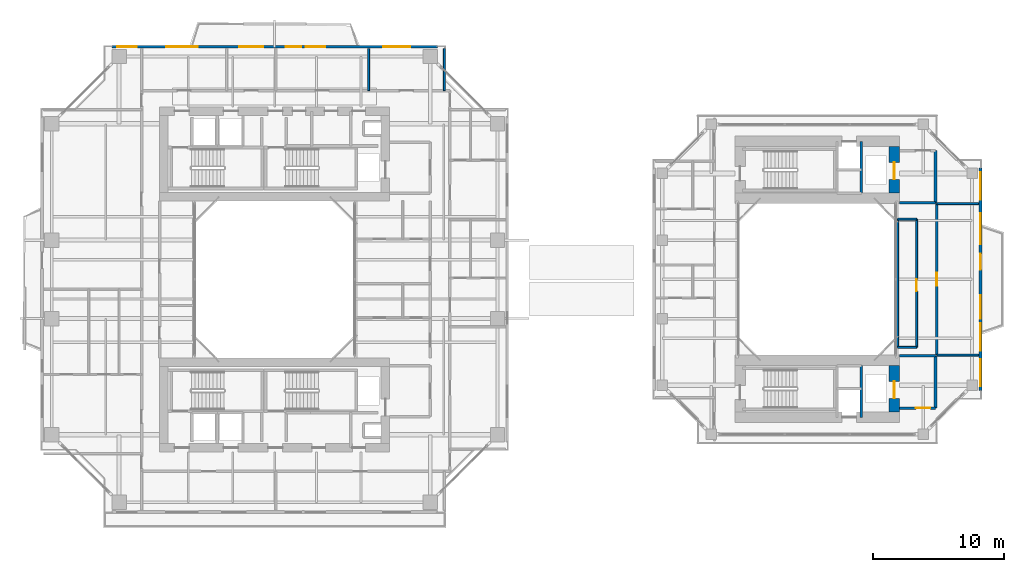
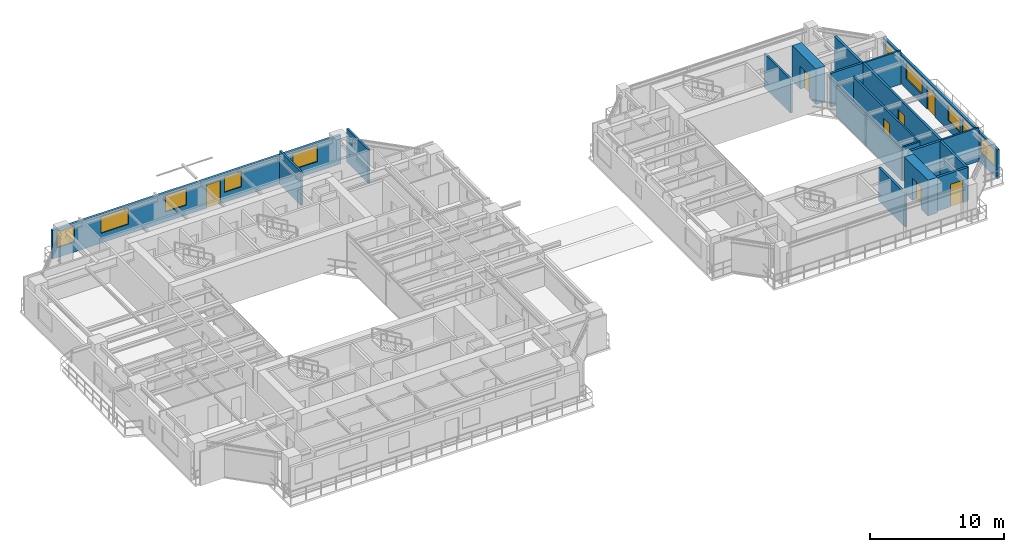
# One storey, part 18 of 23: 20 walls, 10 windows, 7 doors, 17 openings.
"""IFC4 building model written with IfcOpenShell, lengths in metres."""

import ifcopenshell
import ifcopenshell.guid

model = None  # the IFC model being written
_history = None  # IfcOwnerHistory: only IFC2X3 demands one
_inside = {}  # id of a spatial element -> (the spatial element, [elements in it])
_under = {}  # id of a project, library or spatial element -> (it, [spatial elements below it])
_declared = {}  # id of a project -> (the project, [libraries it declares])
_typed = {}  # id of a type object -> (the type object, [elements of that type])
_made_of = {}  # id of a material, layer set ... -> (it, [elements and type objects made of it])


def new_model(schema):
    """Start an empty IFC model of exactly this schema.

    Asked for "IFC4X3", IfcOpenShell would pick the latest addendum, in which some entities
    have other attributes; the version numbers below select the first issue.
    IFC2X3 requires an IfcOwnerHistory on every rooted entity: one is made here for all.
    """
    global model, _history
    if schema == "IFC4X3":
        model = ifcopenshell.file(schema_version=(4, 3, 0, 0))
    else:
        model = ifcopenshell.file(schema=schema)
    _inside.clear()
    _under.clear()
    _declared.clear()
    _typed.clear()
    _made_of.clear()
    _history = None
    if model.schema == "IFC2X3":
        org = make("IfcOrganization", Name="unknown")
        user = make(
            "IfcPersonAndOrganization",
            ThePerson=make("IfcPerson", FamilyName="unknown"),
            TheOrganization=org,
        )
        app = make(
            "IfcApplication",
            ApplicationDeveloper=org,
            Version="unknown",
            ApplicationFullName="unknown",
            ApplicationIdentifier="unknown",
        )
        _history = make(
            "IfcOwnerHistory",
            OwningUser=user,
            OwningApplication=app,
            ChangeAction="ADDED",
            CreationDate=0,
        )
    return model


def make(cls, **values):
    """One entity of the class cls with the attributes given. An attribute that is None is left unset."""
    return model.create_entity(
        cls, **{name: value for name, value in values.items() if value is not None}
    )


def rooted(cls, **values):
    """An entity with a GlobalId (a new one), such as an element, a storey or a relation."""
    return make(cls, GlobalId=ifcopenshell.guid.new(), OwnerHistory=_history, **values)


def si_unit(unit_type, name, prefix=None):
    """IfcSIUnit, for example si_unit("LENGTHUNIT", "METRE", prefix="MILLI")."""
    return make("IfcSIUnit", UnitType=unit_type, Prefix=prefix, Name=name)


def assignment(units):
    """IfcUnitAssignment: the units of a project."""
    return None if units is None else make("IfcUnitAssignment", Units=units)


def point(xyz):
    """IfcCartesianPoint."""
    return None if xyz is None else make("IfcCartesianPoint", Coordinates=xyz)


def direction(xyz):
    """IfcDirection."""
    return None if xyz is None else make("IfcDirection", DirectionRatios=xyz)


def frame(location, z_axis=None, x_axis=None):
    """IfcAxis2Placement3D, a coordinate frame: its origin and axes. An axis left out is left unset."""
    return make(
        "IfcAxis2Placement3D",
        Location=point(location),
        Axis=direction(z_axis),
        RefDirection=direction(x_axis),
    )


def frame_2d(location, x_axis=None):
    """IfcAxis2Placement2D, a coordinate frame in the plane: its origin and x axis."""
    return make(
        "IfcAxis2Placement2D", Location=point(location), RefDirection=direction(x_axis)
    )


def origin():
    """The frame at (0, 0, 0) with its axes left unset."""
    return frame((0.0, 0.0, 0.0))


def place(relative_to, where):
    """IfcLocalPlacement: puts the frame where relative to a parent placement (None: the world)."""
    return make(
        "IfcLocalPlacement", PlacementRelTo=relative_to, RelativePlacement=where
    )


def context(
    kind, dimensions, precision=None, world=None, true_north=None, identifier=None
):
    """IfcGeometricRepresentationContext, for example the 3D "Model" context."""
    return make(
        "IfcGeometricRepresentationContext",
        ContextIdentifier=identifier,
        ContextType=kind,
        CoordinateSpaceDimension=dimensions,
        Precision=precision,
        WorldCoordinateSystem=world,
        TrueNorth=true_north,
    )


def subcontext(parent, identifier, kind, view, scale=None):
    """IfcGeometricRepresentationSubContext, for example "Body" below "Model"."""
    return make(
        "IfcGeometricRepresentationSubContext",
        ContextIdentifier=identifier,
        ContextType=kind,
        ParentContext=parent,
        TargetScale=scale,
        TargetView=view,
    )


def project(units=None, contexts=None):
    """IfcProject with its units and contexts."""
    return rooted(
        "IfcProject",
        Name="project",
        RepresentationContexts=contexts,
        UnitsInContext=assignment(units),
    )


def spatial(cls, under=None, at=None, **own):
    """A site, building, storey or space (cls), placed at a placement, below another one or the project."""
    s = rooted(cls, ObjectPlacement=at, **own)
    if under is not None:
        _under.setdefault(under.id(), (under, []))[1].append(s)
    return s


def profile(cls, at=None, kind="AREA", **sizes):
    """A parametric profile (cls). Its sizes go by their IFC names, for example OverallWidth=200.0."""
    return make(cls, ProfileType=kind, Position=at, **sizes)


def rectangle(**sizes):
    """IfcRectangleProfileDef."""
    return profile("IfcRectangleProfileDef", **sizes)


def extrude(swept, where, along, depth):
    """IfcExtrudedAreaSolid: the profile swept, set in the frame where, extruded along a direction by depth."""
    return make(
        "IfcExtrudedAreaSolid",
        SweptArea=swept,
        Position=where,
        ExtrudedDirection=direction(along),
        Depth=depth,
    )


def shape(context_of_items, identifier, shape_type, items):
    """IfcShapeRepresentation: the items that make up one representation, for example the "Body"."""
    return make(
        "IfcShapeRepresentation",
        ContextOfItems=context_of_items,
        RepresentationIdentifier=identifier,
        RepresentationType=shape_type,
        Items=items,
    )


def source(mapping_origin, context_of_items, identifier, shape_type, items):
    """IfcRepresentationMap: a shape defined once, which mapped items show again and again."""
    return make(
        "IfcRepresentationMap",
        MappingOrigin=mapping_origin,
        MappedRepresentation=shape(context_of_items, identifier, shape_type, items),
    )


def transform(
    local_origin,
    x_axis=None,
    y_axis=None,
    z_axis=None,
    scale=None,
    scale2=None,
    scale3=None,
    uniform=True,
):
    """IfcCartesianTransformationOperator3D, or its non-uniform kind. x_axis, y_axis, z_axis: its Axis1, 2, 3."""
    if uniform:
        return make(
            "IfcCartesianTransformationOperator3D",
            Axis1=direction(x_axis),
            Axis2=direction(y_axis),
            LocalOrigin=point(local_origin),
            Scale=scale,
            Axis3=direction(z_axis),
        )
    return make(
        "IfcCartesianTransformationOperator3DnonUniform",
        Axis1=direction(x_axis),
        Axis2=direction(y_axis),
        LocalOrigin=point(local_origin),
        Scale=scale,
        Axis3=direction(z_axis),
        Scale2=scale2,
        Scale3=scale3,
    )


def mapped(mapping_source, mapping_target):
    """IfcMappedItem: shows the shape of a source again, moved by a transform."""
    return make(
        "IfcMappedItem", MappingSource=mapping_source, MappingTarget=mapping_target
    )


def material(Name=None, Category=None):
    """IfcMaterial."""
    return make("IfcMaterial", Name=Name, Category=Category)


def layer(
    of_material, thickness, ventilated=None, Name=None, Category=None, Priority=None
):
    """IfcMaterialLayer: one layer of a wall or slab, of a material (None: an air gap)."""
    return make(
        "IfcMaterialLayer",
        Material=of_material,
        LayerThickness=thickness,
        IsVentilated=ventilated,
        Name=Name,
        Category=Category,
        Priority=Priority,
    )


def layer_set(layers, Name=None):
    """IfcMaterialLayerSet."""
    return make("IfcMaterialLayerSet", MaterialLayers=layers, LayerSetName=Name)


def made_of(thing, what):
    """Note that an element or type object is made of a material, layer set ...; save() writes the relation."""
    if what is not None:
        _made_of.setdefault(what.id(), (what, []))[1].append(thing)
    return thing


def type_object(cls, material=None, **own):
    """A type object (cls), such as IfcWallType, which elements share."""
    return made_of(rooted(cls, **own), material)


def element(
    cls,
    number,
    at=None,
    inside=None,
    cuts=None,
    type_object=None,
    material=None,
    context=None,
    identifier="Body",
    shape_type=None,
    held_by="IfcProductDefinitionShape",
    body=None,
    shapes=None,
    **own,
):
    """One element of the class cls, such as IfcWall. Its Tag is "e" and its number.

    at: its placement. inside: the storey or other place that contains it. cuts: it is an
    opening in that element (IfcRelVoidsElement). A single representation is given by context,
    identifier, shape_type and body (its items); several are given by shapes. held_by: the class
    of the entity that holds the representations. save() writes the other relations.
    """
    e = rooted(cls, Tag="e%d" % number, ObjectPlacement=at, **own)
    if body is not None:
        shapes = [shape(context, identifier, shape_type, body)]
    if shapes is not None:
        e.Representation = make(held_by, Representations=shapes)
    if inside is not None:
        _inside.setdefault(inside.id(), (inside, []))[1].append(e)
    if cuts is not None:
        rooted(
            "IfcRelVoidsElement", RelatingBuildingElement=cuts, RelatedOpeningElement=e
        )
    if type_object is not None:
        _typed.setdefault(type_object.id(), (type_object, []))[1].append(e)
    return made_of(e, material)


def fill(opening, filler):
    """IfcRelFillsElement: the door or window that sits in an opening."""
    return rooted(
        "IfcRelFillsElement",
        RelatingOpeningElement=opening,
        RelatedBuildingElement=filler,
    )


def aggregate(whole, parts):
    """IfcRelAggregates: a whole, such as a stair, and the parts it consists of."""
    return rooted("IfcRelAggregates", RelatingObject=whole, RelatedObjects=parts)


def save(model, path):
    """Write the relations noted so far, then the file.

    IfcRelAggregates (storeys below a building ...), IfcRelContainedInSpatialStructure (elements
    in a storey), IfcRelDefinesByType, IfcRelAssociatesMaterial and IfcRelDeclares: one each for
    every whole, place, type object, material and project.
    """
    for whole, parts in _under.values():
        aggregate(whole, parts)
    for where, things in _inside.values():
        rooted(
            "IfcRelContainedInSpatialStructure",
            RelatedElements=things,
            RelatingStructure=where,
        )
    for kind, things in _typed.values():
        rooted("IfcRelDefinesByType", RelatedObjects=things, RelatingType=kind)
    for what, things in _made_of.values():
        rooted("IfcRelAssociatesMaterial", RelatedObjects=things, RelatingMaterial=what)
    for by, libraries in _declared.values():
        rooted("IfcRelDeclares", RelatingContext=by, RelatedDefinitions=libraries)
    model.write(path)


model = new_model("IFC4")

# Units and contexts
model_context = context("Model", 3, precision=1e-05, world=origin(), true_north=direction((0.0, 1.0)))
body_context = subcontext(model_context, "Body", "Model", "MODEL_VIEW")
ifc_project = project(units=[si_unit("LENGTHUNIT", "METRE"), si_unit("AREAUNIT", "SQUARE_METRE"), si_unit("VOLUMEUNIT", "CUBIC_METRE"), si_unit("PLANEANGLEUNIT", "RADIAN"), si_unit("MASSUNIT", "GRAM", prefix="KILO"), si_unit("THERMODYNAMICTEMPERATUREUNIT", "KELVIN"), si_unit("POWERUNIT", "WATT")], contexts=[model_context])

# Site, building, storey
site_placement = place(None, origin())
site = spatial("IfcSite", under=ifc_project, at=site_placement, CompositionType="ELEMENT")
building_placement = place(site_placement, origin())
building = spatial("IfcBuilding", under=site, at=building_placement, Name="Qiaomeng Ring Towers", CompositionType="ELEMENT")
storey_placement = place(building_placement, frame((0.0, 0.0, 97.0)))
storey = spatial("IfcBuildingStorey", under=building, at=storey_placement, Name="L27", CompositionType="ELEMENT", Elevation=97.0)

# Wall, openings, windows, door
ifc_material_1 = material(Name="Precast concrete C40", Category="concrete")
ifc_layer_1 = layer(ifc_material_1, 0.219970703125, Name="Precast concrete C40")
ifc_layer_set_1 = layer_set([ifc_layer_1], Name="Precast concrete C40")
wall_type_1 = type_object("IfcWallType", Name="ARC-WL-EW2", PredefinedType="STANDARD", material=ifc_layer_set_1)
wall_1_placement = place(storey_placement, frame((6.550048828125, 40.7900390625, 0.0), z_axis=(0.0, 0.0, 1.0), x_axis=(1.0, 0.0, 0.0)))
wall_1 = element("IfcWall", 1, at=wall_1_placement, inside=storey, type_object=wall_type_1, Name="L27 Tower 1 N Exterior Wall", PredefinedType="STANDARD", context=body_context, shape_type="SweptSolid", body=[
    extrude(rectangle(XDim=24.89990234375, YDim=0.219970703125, at=frame_2d((12.449951171875, 0.0))), origin(), (0.0, 0.0, 1.0), 2.610107421875),
])
opening_1_placement = place(wall_1_placement, frame((13.300048828125, 0.0, 0.0)))
opening_1 = element("IfcOpeningElement", 2, at=opening_1_placement, cuts=wall_1, Name="Opening BD1", PredefinedType="OPENING", context=body_context, shape_type="SweptSolid", body=[
    extrude(rectangle(XDim=1.199951171875, YDim=2.10009765625, at=frame_2d((0.60009765625, 1.050048828125))), frame((0.0, 0.119873046875, 0.0), z_axis=(0.0, -1.0, 0.0), x_axis=(1.0, 0.0, 0.0)), (0.0, 0.0, 1.0), 0.239990234375),
])
opening_2_placement = place(wall_1_placement, frame((0.392578125, 0.0, 0.89990234375)))
opening_2 = element("IfcOpeningElement", 3, at=opening_2_placement, cuts=wall_1, Name="Opening WN2", PredefinedType="OPENING", context=body_context, shape_type="SweptSolid", body=[
    extrude(rectangle(XDim=1.5, YDim=1.5, at=frame_2d((0.75, 0.75))), frame((0.0, 0.119873046875, 0.0), z_axis=(0.0, -1.0, 0.0), x_axis=(1.0, 0.0, 0.0)), (0.0, 0.0, 1.0), 0.239990234375),
])
opening_3_placement = place(wall_1_placement, frame((9.760009765625, 0.0, 0.89990234375)))
opening_3 = element("IfcOpeningElement", 4, at=opening_3_placement, cuts=wall_1, Name="Opening WN1", PredefinedType="OPENING", context=body_context, shape_type="SweptSolid", body=[
    extrude(rectangle(XDim=1.800048828125, YDim=1.5, at=frame_2d((0.89990234375, 0.75))), frame((0.0, 0.119873046875, 0.0), z_axis=(0.0, -1.0, 0.0), x_axis=(1.0, 0.0, 0.0)), (0.0, 0.0, 1.0), 0.239990234375),
])
opening_4_placement = place(wall_1_placement, frame((14.81298828125, 0.0, 0.89990234375)))
opening_4 = element("IfcOpeningElement", 5, at=opening_4_placement, cuts=wall_1, Name="Opening WN2", PredefinedType="OPENING", context=body_context, shape_type="SweptSolid", body=[
    extrude(rectangle(XDim=1.5, YDim=1.449951171875, at=frame_2d((0.75, 0.72509765625))), frame((0.0, 0.119873046875, 0.0), z_axis=(0.0, -1.0, 0.0), x_axis=(1.0, 0.0, 0.0)), (0.0, 0.0, 1.0), 0.239990234375),
])
opening_5_placement = place(wall_1_placement, frame((20.738037109375, 0.0, 0.89990234375)))
opening_5 = element("IfcOpeningElement", 6, at=opening_5_placement, cuts=wall_1, Name="Opening WN4", PredefinedType="OPENING", context=body_context, shape_type="SweptSolid", body=[
    extrude(rectangle(XDim=2.10009765625, YDim=1.47998046875, at=frame_2d((1.050048828125, 0.739990234375))), frame((0.0, 0.119873046875, 0.0), z_axis=(0.0, -1.0, 0.0), x_axis=(1.0, 0.0, 0.0)), (0.0, 0.0, 1.0), 0.239990234375),
])
opening_6_placement = place(wall_1_placement, frame((4.17138671875, 0.0, 0.89990234375)))
opening_6 = element("IfcOpeningElement", 7, at=opening_6_placement, cuts=wall_1, Name="Opening WN6", PredefinedType="OPENING", context=body_context, shape_type="SweptSolid", body=[
    extrude(rectangle(XDim=2.39990234375, YDim=1.5, at=frame_2d((1.199951171875, 0.75))), frame((0.0, 0.119873046875, 0.0), z_axis=(0.0, -1.0, 0.0), x_axis=(1.0, 0.0, 0.0)), (0.0, 0.0, 1.0), 0.239990234375),
])
ifc_material_2 = material(Name="Low-E dark-grey laminated double glazing", Category="glass")
window_type_1 = type_object("IfcWindowType", Name="ARC-WN-2", PartitioningType="DOUBLE_PANEL_VERTICAL", PredefinedType="WINDOW", material=ifc_material_2)
shared_shape_1 = source(origin(), body_context, "Body", "SweptSolid", [
    extrude(rectangle(XDim=1.5, YDim=1.449951171875, at=frame_2d((0.75, 0.72509765625))), frame((0.0, 0.030029296875, 0.0), z_axis=(0.0, -1.0, 0.0), x_axis=(1.0, 0.0, 0.0)), (0.0, 0.0, 1.0), 0.06005859375),
])
window_1_placement = place(opening_4_placement, origin())
window_1 = element("IfcWindow", 8, at=window_1_placement, inside=storey, type_object=window_type_1, Name="L27 Exterior Window WN2", OverallHeight=1.449951171875, OverallWidth=1.5, PartitioningType="DOUBLE_PANEL_VERTICAL", PredefinedType="WINDOW", context=body_context, shape_type="MappedRepresentation", body=[
    mapped(shared_shape_1, transform((0.0, 0.0, 0.0), x_axis=(1.0, 0.0, 0.0), y_axis=(0.0, 1.0, 0.0), z_axis=(0.0, 0.0, 1.0), scale=1.0)),
])
fill(opening_4, window_1)
window_type_2 = type_object("IfcWindowType", Name="ARC-WN-4", PartitioningType="TRIPLE_PANEL_VERTICAL", PredefinedType="WINDOW", material=ifc_material_2)
shared_shape_2 = source(origin(), body_context, "Body", "SweptSolid", [
    extrude(rectangle(XDim=2.10009765625, YDim=1.47998046875, at=frame_2d((1.050048828125, 0.739990234375))), frame((0.0, 0.030029296875, 0.0), z_axis=(0.0, -1.0, 0.0), x_axis=(1.0, 0.0, 0.0)), (0.0, 0.0, 1.0), 0.06005859375),
])
window_2_placement = place(opening_5_placement, origin())
window_2 = element("IfcWindow", 9, at=window_2_placement, inside=storey, type_object=window_type_2, Name="L27 Exterior Window WN4", OverallHeight=1.47998046875, OverallWidth=2.10009765625, PartitioningType="TRIPLE_PANEL_VERTICAL", PredefinedType="WINDOW", context=body_context, shape_type="MappedRepresentation", body=[
    mapped(shared_shape_2, transform((0.0, 0.0, 0.0), x_axis=(1.0, 0.0, 0.0), y_axis=(0.0, 1.0, 0.0), z_axis=(0.0, 0.0, 1.0), scale=1.0)),
])
fill(opening_5, window_2)
door_type_1 = type_object("IfcDoorType", Name="ARC-DR-BD1", OperationType="NOTDEFINED", PredefinedType="DOOR", material=ifc_material_2)
shared_shape_3 = source(origin(), body_context, "Body", "SweptSolid", [
    extrude(rectangle(XDim=1.199951171875, YDim=2.10009765625, at=frame_2d((0.60009765625, 1.050048828125))), frame((0.0, 0.02490234375, 0.0), z_axis=(0.0, -1.0, 0.0), x_axis=(1.0, 0.0, 0.0)), (0.0, 0.0, 1.0), 0.050048828125),
])
door_1_placement = place(opening_1_placement, origin())
door_1 = element("IfcDoor", 10, at=door_1_placement, inside=storey, type_object=door_type_1, Name="L27 N Balcony Glazed Door", OperationType="SINGLE_SWING_LEFT", OverallHeight=2.10009765625, OverallWidth=1.199951171875, PredefinedType="DOOR", context=body_context, shape_type="MappedRepresentation", body=[
    mapped(shared_shape_3, transform((0.0, 0.0, 0.0), x_axis=(1.0, 0.0, 0.0), y_axis=(0.0, 1.0, 0.0), z_axis=(0.0, 0.0, 1.0), scale=1.0)),
])
fill(opening_1, door_1)
shared_shape_4 = source(origin(), body_context, "Body", "SweptSolid", [
    extrude(rectangle(XDim=1.5, YDim=1.5, at=frame_2d((0.75, 0.75))), frame((0.0, 0.030029296875, 0.0), z_axis=(0.0, -1.0, 0.0), x_axis=(1.0, 0.0, 0.0)), (0.0, 0.0, 1.0), 0.06005859375),
])
window_3_placement = place(opening_2_placement, origin())
window_3 = element("IfcWindow", 11, at=window_3_placement, inside=storey, type_object=window_type_1, Name="L27 Exterior Window WN6", OverallHeight=1.5, OverallWidth=1.5, PartitioningType="TRIPLE_PANEL_VERTICAL", PredefinedType="WINDOW", context=body_context, shape_type="MappedRepresentation", body=[
    mapped(shared_shape_4, transform((0.0, 0.0, 0.0), x_axis=(1.0, 0.0, 0.0), y_axis=(0.0, 1.0, 0.0), z_axis=(0.0, 0.0, 1.0), scale=1.0)),
])
fill(opening_2, window_3)
window_type_3 = type_object("IfcWindowType", Name="ARC-WN-6", PartitioningType="TRIPLE_PANEL_VERTICAL", PredefinedType="WINDOW", material=ifc_material_2)
shared_shape_5 = source(origin(), body_context, "Body", "SweptSolid", [
    extrude(rectangle(XDim=2.39990234375, YDim=1.5, at=frame_2d((1.199951171875, 0.75))), frame((0.0, 0.030029296875, 0.0), z_axis=(0.0, -1.0, 0.0), x_axis=(1.0, 0.0, 0.0)), (0.0, 0.0, 1.0), 0.06005859375),
])
window_4_placement = place(opening_6_placement, origin())
window_4 = element("IfcWindow", 12, at=window_4_placement, inside=storey, type_object=window_type_3, Name="L27 Exterior Window WN6", OverallHeight=1.5, OverallWidth=2.39990234375, PartitioningType="TRIPLE_PANEL_VERTICAL", PredefinedType="WINDOW", context=body_context, shape_type="MappedRepresentation", body=[
    mapped(shared_shape_5, transform((0.0, 0.0, 0.0), x_axis=(1.0, 0.0, 0.0), y_axis=(0.0, 1.0, 0.0), z_axis=(0.0, 0.0, 1.0), scale=1.0)),
])
fill(opening_6, window_4)
window_type_4 = type_object("IfcWindowType", Name="ARC-WN-1", PartitioningType="DOUBLE_PANEL_VERTICAL", PredefinedType="WINDOW", material=ifc_material_2)
shared_shape_6 = source(origin(), body_context, "Body", "SweptSolid", [
    extrude(rectangle(XDim=1.800048828125, YDim=1.5, at=frame_2d((0.89990234375, 0.75))), frame((0.0, 0.030029296875, 0.0), z_axis=(0.0, -1.0, 0.0), x_axis=(1.0, 0.0, 0.0)), (0.0, 0.0, 1.0), 0.06005859375),
])
window_5_placement = place(opening_3_placement, origin())
window_5 = element("IfcWindow", 13, at=window_5_placement, inside=storey, type_object=window_type_4, Name="L27 Exterior Window WN1", OverallHeight=1.5, OverallWidth=1.800048828125, PartitioningType="DOUBLE_PANEL_VERTICAL", PredefinedType="WINDOW", context=body_context, shape_type="MappedRepresentation", body=[
    mapped(shared_shape_6, transform((0.0, 0.0, 0.0), x_axis=(1.0, 0.0, 0.0), y_axis=(0.0, 1.0, 0.0), z_axis=(0.0, 0.0, 1.0), scale=1.0)),
])
fill(opening_3, window_5)

wall_2_placement = place(storey_placement, frame((72.989990234375, 14.5, 0.0), z_axis=(0.0, 0.0, 1.0), x_axis=(0.0, 1.0, 0.0)))
wall_2 = element("IfcWall", 14, at=wall_2_placement, inside=storey, type_object=wall_type_1, Name="L27 Companion East Wall", PredefinedType="STANDARD", context=body_context, shape_type="SweptSolid", body=[
    extrude(rectangle(XDim=17.0, YDim=0.219970703125, at=frame_2d((8.5, 0.0))), origin(), (0.0, 0.0, 1.0), 2.610107421875),
])
opening_7_placement = place(wall_2_placement, frame((9.25, 0.0, 0.0)))
opening_7 = element("IfcOpeningElement", 15, at=opening_7_placement, cuts=wall_2, Name="Opening BD1", PredefinedType="OPENING", context=body_context, shape_type="SweptSolid", body=[
    extrude(rectangle(XDim=1.199951171875, YDim=2.10009765625, at=frame_2d((0.60009765625, 1.050048828125))), frame((0.0, 0.119873046875, 0.0), z_axis=(0.0, -1.0, 0.0), x_axis=(1.0, 0.0, 0.0)), (0.0, 0.0, 1.0), 0.239990234375),
])
opening_8_placement = place(wall_2_placement, frame((0.3076171875, 0.0, 0.89990234375)))
opening_8 = element("IfcOpeningElement", 16, at=opening_8_placement, cuts=wall_2, Name="Opening WN4", PredefinedType="OPENING", context=body_context, shape_type="SweptSolid", body=[
    extrude(rectangle(XDim=2.10009765625, YDim=1.5, at=frame_2d((1.050048828125, 0.75))), frame((0.0, 0.119873046875, 0.0), z_axis=(0.0, -1.0, 0.0), x_axis=(1.0, 0.0, 0.0)), (0.0, 0.0, 1.0), 0.239990234375),
])
opening_9_placement = place(wall_2_placement, frame((5.47509765625, 0.0, 0.89990234375)))
opening_9 = element("IfcOpeningElement", 17, at=opening_9_placement, cuts=wall_2, Name="Opening WN1", PredefinedType="OPENING", context=body_context, shape_type="SweptSolid", body=[
    extrude(rectangle(XDim=1.800048828125, YDim=1.449951171875, at=frame_2d((0.89990234375, 0.72509765625))), frame((0.0, 0.119873046875, 0.0), z_axis=(0.0, -1.0, 0.0), x_axis=(1.0, 0.0, 0.0)), (0.0, 0.0, 1.0), 0.239990234375),
])
opening_10_placement = place(wall_2_placement, frame((14.592529296875, 0.0, 0.89990234375)))
opening_10 = element("IfcOpeningElement", 18, at=opening_10_placement, cuts=wall_2, Name="Opening WN4", PredefinedType="OPENING", context=body_context, shape_type="SweptSolid", body=[
    extrude(rectangle(XDim=2.10009765625, YDim=1.5, at=frame_2d((1.050048828125, 0.75))), frame((0.0, 0.119873046875, 0.0), z_axis=(0.0, -1.0, 0.0), x_axis=(1.0, 0.0, 0.0)), (0.0, 0.0, 1.0), 0.239990234375),
])
opening_11_placement = place(wall_2_placement, frame((3.054931640625, 0.0, 0.89990234375)))
opening_11 = element("IfcOpeningElement", 19, at=opening_11_placement, cuts=wall_2, Name="Opening WN4", PredefinedType="OPENING", context=body_context, shape_type="SweptSolid", body=[
    extrude(rectangle(XDim=2.10009765625, YDim=1.5, at=frame_2d((1.050048828125, 0.75))), frame((0.0, 0.119873046875, 0.0), z_axis=(0.0, -1.0, 0.0), x_axis=(1.0, 0.0, 0.0)), (0.0, 0.0, 1.0), 0.239990234375),
])
opening_12_placement = place(wall_2_placement, frame((11.16748046875, 0.0, 0.89990234375)))
opening_12 = element("IfcOpeningElement", 20, at=opening_12_placement, cuts=wall_2, Name="Opening WN6", PredefinedType="OPENING", context=body_context, shape_type="SweptSolid", body=[
    extrude(rectangle(XDim=2.39990234375, YDim=1.5, at=frame_2d((1.199951171875, 0.75))), frame((0.0, 0.119873046875, 0.0), z_axis=(0.0, -1.0, 0.0), x_axis=(1.0, 0.0, 0.0)), (0.0, 0.0, 1.0), 0.239990234375),
])
shared_shape_7 = source(origin(), body_context, "Body", "SweptSolid", [
    extrude(rectangle(XDim=2.10009765625, YDim=1.5, at=frame_2d((1.050048828125, 0.75))), frame((0.0, 0.030029296875, 0.0), z_axis=(0.0, -1.0, 0.0), x_axis=(1.0, 0.0, 0.0)), (0.0, 0.0, 1.0), 0.06005859375),
])
window_6_placement = place(opening_8_placement, origin())
window_6 = element("IfcWindow", 21, at=window_6_placement, inside=storey, type_object=window_type_2, Name="L27 Exterior Window WN6", OverallHeight=1.5, OverallWidth=2.10009765625, PartitioningType="TRIPLE_PANEL_VERTICAL", PredefinedType="WINDOW", context=body_context, shape_type="MappedRepresentation", body=[
    mapped(shared_shape_7, transform((0.0, 0.0, 0.0), x_axis=(1.0, 0.0, 0.0), y_axis=(0.0, 1.0, 0.0), z_axis=(0.0, 0.0, 1.0), scale=1.0)),
])
fill(opening_8, window_6)
window_7_placement = place(opening_10_placement, origin())
window_7 = element("IfcWindow", 22, at=window_7_placement, inside=storey, type_object=window_type_2, Name="L27 Exterior Window WN4", OverallHeight=1.5, OverallWidth=2.10009765625, PartitioningType="TRIPLE_PANEL_VERTICAL", PredefinedType="WINDOW", context=body_context, shape_type="MappedRepresentation", body=[
    mapped(shared_shape_7, transform((0.0, 0.0, 0.0), x_axis=(1.0, 0.0, 0.0), y_axis=(0.0, 1.0, 0.0), z_axis=(0.0, 0.0, 1.0), scale=1.0)),
])
fill(opening_10, window_7)
window_8_placement = place(opening_11_placement, origin())
window_8 = element("IfcWindow", 23, at=window_8_placement, inside=storey, type_object=window_type_2, Name="L27 Exterior Window WN4", OverallHeight=1.5, OverallWidth=2.10009765625, PartitioningType="TRIPLE_PANEL_VERTICAL", PredefinedType="WINDOW", context=body_context, shape_type="MappedRepresentation", body=[
    mapped(shared_shape_7, transform((0.0, 0.0, 0.0), x_axis=(1.0, 0.0, 0.0), y_axis=(0.0, 1.0, 0.0), z_axis=(0.0, 0.0, 1.0), scale=1.0)),
])
fill(opening_11, window_8)
shared_shape_8 = source(origin(), body_context, "Body", "SweptSolid", [
    extrude(rectangle(XDim=1.800048828125, YDim=1.449951171875, at=frame_2d((0.89990234375, 0.72509765625))), frame((0.0, 0.030029296875, 0.0), z_axis=(0.0, -1.0, 0.0), x_axis=(1.0, 0.0, 0.0)), (0.0, 0.0, 1.0), 0.06005859375),
])
window_9_placement = place(opening_9_placement, origin())
window_9 = element("IfcWindow", 24, at=window_9_placement, inside=storey, type_object=window_type_4, Name="L27 Exterior Window WN1", OverallHeight=1.449951171875, OverallWidth=1.800048828125, PartitioningType="DOUBLE_PANEL_VERTICAL", PredefinedType="WINDOW", context=body_context, shape_type="MappedRepresentation", body=[
    mapped(shared_shape_8, transform((0.0, 0.0, 0.0), x_axis=(1.0, 0.0, 0.0), y_axis=(0.0, 1.0, 0.0), z_axis=(0.0, 0.0, 1.0), scale=1.0)),
])
fill(opening_9, window_9)
door_2_placement = place(opening_7_placement, origin())
door_2 = element("IfcDoor", 25, at=door_2_placement, inside=storey, type_object=door_type_1, Name="L27 Companion East Balcony Door", OperationType="SINGLE_SWING_LEFT", OverallHeight=2.10009765625, OverallWidth=1.199951171875, PredefinedType="DOOR", context=body_context, shape_type="MappedRepresentation", body=[
    mapped(shared_shape_3, transform((0.0, 0.0, 0.0), x_axis=(1.0, 0.0, 0.0), y_axis=(0.0, 1.0, 0.0), z_axis=(0.0, 0.0, 1.0), scale=1.0)),
])
fill(opening_7, door_2)
window_10_placement = place(opening_12_placement, origin())
window_10 = element("IfcWindow", 26, at=window_10_placement, inside=storey, type_object=window_type_3, Name="L27 Exterior Window WN6", OverallHeight=1.5, OverallWidth=2.39990234375, PartitioningType="TRIPLE_PANEL_VERTICAL", PredefinedType="WINDOW", context=body_context, shape_type="MappedRepresentation", body=[
    mapped(shared_shape_5, transform((0.0, 0.0, 0.0), x_axis=(1.0, 0.0, 0.0), y_axis=(0.0, 1.0, 0.0), z_axis=(0.0, 0.0, 1.0), scale=1.0)),
])
fill(opening_12, window_10)

# Walls
ifc_material_3 = material(Name="Autoclaved aerated concrete block", Category="concrete")
ifc_layer_2 = layer(ifc_material_3, 0.199951171875, Name="Autoclaved aerated concrete block")
ifc_layer_set_2 = layer_set([ifc_layer_2], Name="Autoclaved aerated concrete block")
wall_type_2 = type_object("IfcWallType", Name="ARC-WL-PW1", PredefinedType="PARTITIONING", material=ifc_layer_set_2)
wall_3_placement = place(storey_placement, frame((66.800048828125, 28.85009765625, 0.0), z_axis=(0.0, 0.0, 1.0), x_axis=(1.0, 0.0, 0.0)))
element("IfcWall", 27, at=wall_3_placement, inside=storey, type_object=wall_type_2, Name="L27 Interior Wall PW1", PredefinedType="PARTITIONING", context=body_context, shape_type="SweptSolid", body=[
    extrude(rectangle(XDim=2.75, YDim=0.199951171875, at=frame_2d((1.375, 0.0))), origin(), (0.0, 0.0, 1.0), 3.070068359375),
])
wall_4_placement = place(storey_placement, frame((69.550048828125, 28.85009765625, 0.0), z_axis=(0.0, 0.0, 1.0), x_axis=(0.0, 1.0, 0.0)))
element("IfcWall", 28, at=wall_4_placement, inside=storey, type_object=wall_type_2, Name="L27 Interior Wall PW1", PredefinedType="PARTITIONING", context=body_context, shape_type="SweptSolid", body=[
    extrude(rectangle(XDim=4.0, YDim=0.199951171875, at=frame_2d((2.0, 0.0))), origin(), (0.0, 0.0, 1.0), 3.070068359375),
])
wall_5_placement = place(storey_placement, frame((66.800048828125, 17.14990234375, 0.0), z_axis=(0.0, 0.0, 1.0), x_axis=(1.0, 0.0, 0.0)))
element("IfcWall", 29, at=wall_5_placement, inside=storey, type_object=wall_type_2, Name="L27 Interior Wall PW1", PredefinedType="PARTITIONING", context=body_context, shape_type="SweptSolid", body=[
    extrude(rectangle(XDim=2.75, YDim=0.199951171875, at=frame_2d((1.375, 0.0))), origin(), (0.0, 0.0, 1.0), 3.070068359375),
])
wall_6_placement = place(storey_placement, frame((69.550048828125, 13.14990234375, 0.0), z_axis=(0.0, 0.0, 1.0), x_axis=(0.0, 1.0, 0.0)))
element("IfcWall", 30, at=wall_6_placement, inside=storey, type_object=wall_type_2, Name="L27 Interior Wall PW1", PredefinedType="PARTITIONING", context=body_context, shape_type="SweptSolid", body=[
    extrude(rectangle(XDim=4.0, YDim=0.199951171875, at=frame_2d((2.0, 0.0))), origin(), (0.0, 0.0, 1.0), 3.070068359375),
])

# Wall, opening, door
wall_7_placement = place(storey_placement, frame((66.800048828125, 13.14990234375, 0.0), z_axis=(0.0, 0.0, 1.0), x_axis=(1.0, 0.0, 0.0)))
wall_7 = element("IfcWall", 31, at=wall_7_placement, inside=storey, type_object=wall_type_2, Name="L27 Interior Wall PW1", PredefinedType="PARTITIONING", context=body_context, shape_type="SweptSolid", body=[
    extrude(rectangle(XDim=2.75, YDim=0.199951171875, at=frame_2d((1.375, 0.0))), origin(), (0.0, 0.0, 1.0), 3.070068359375),
])
opening_13_placement = place(wall_7_placement, frame((1.25, 0.0, 0.0)))
opening_13 = element("IfcOpeningElement", 32, at=opening_13_placement, cuts=wall_7, Name="Opening FD3", PredefinedType="OPENING", context=body_context, shape_type="SweptSolid", body=[
    extrude(rectangle(XDim=1.10009765625, YDim=2.050048828125, at=frame_2d((0.550048828125, 1.02490234375))), frame((0.0, 0.10986328125, 0.0), z_axis=(0.0, -1.0, 0.0), x_axis=(1.0, 0.0, 0.0)), (0.0, 0.0, 1.0), 0.219970703125),
])
ifc_material_4 = material(Name="Galvanised steel", Category="steel")
door_type_2 = type_object("IfcDoorType", Name="ARC-DR-FD3", OperationType="NOTDEFINED", PredefinedType="DOOR", material=ifc_material_4)
shared_shape_9 = source(origin(), body_context, "Body", "SweptSolid", [
    extrude(rectangle(XDim=1.10009765625, YDim=2.050048828125, at=frame_2d((0.550048828125, 1.02490234375))), frame((0.0, 0.02490234375, 0.0), z_axis=(0.0, -1.0, 0.0), x_axis=(1.0, 0.0, 0.0)), (0.0, 0.0, 1.0), 0.050048828125),
])
door_3_placement = place(opening_13_placement, origin())
door_3 = element("IfcDoor", 33, at=door_3_placement, inside=storey, type_object=door_type_2, Name="L27 Door FD3", OperationType="SINGLE_SWING_LEFT", OverallHeight=2.050048828125, OverallWidth=1.10009765625, PredefinedType="DOOR", context=body_context, shape_type="MappedRepresentation", body=[
    mapped(shared_shape_9, transform((0.0, 0.0, 0.0), x_axis=(1.0, 0.0, 0.0), y_axis=(0.0, 1.0, 0.0), z_axis=(0.0, 0.0, 1.0), scale=1.0)),
])
fill(opening_13, door_3)

ifc_layer_3 = layer(ifc_material_3, 0.179931640625, Name="Autoclaved aerated concrete block")
ifc_layer_set_3 = layer_set([ifc_layer_3], Name="Autoclaved aerated concrete block")
wall_type_3 = type_object("IfcWallType", Name="ARC-WL-PW2", PredefinedType="PARTITIONING", material=ifc_layer_set_3)
wall_8_placement = place(storey_placement, frame((69.64990234375, 17.199951171875, 0.0), z_axis=(0.0, 0.0, 1.0), x_axis=(0.0, 1.0, 0.0)))
wall_8 = element("IfcWall", 34, at=wall_8_placement, inside=storey, type_object=wall_type_3, Name="L27 Interior Wall PW2", PredefinedType="PARTITIONING", context=body_context, shape_type="SweptSolid", body=[
    extrude(rectangle(XDim=11.60009765625, YDim=0.179931640625, at=frame_2d((5.800048828125, 0.0))), origin(), (0.0, 0.0, 1.0), 3.070068359375),
])
opening_14_placement = place(wall_8_placement, frame((5.300048828125, 0.0, 0.0)))
opening_14 = element("IfcOpeningElement", 35, at=opening_14_placement, cuts=wall_8, Name="Opening FD4", PredefinedType="OPENING", context=body_context, shape_type="SweptSolid", body=[
    extrude(rectangle(XDim=1.0, YDim=2.050048828125, at=frame_2d((0.5, 1.02490234375))), frame((0.0, 0.099853515625, 0.0), z_axis=(0.0, -1.0, 0.0), x_axis=(1.0, 0.0, 0.0)), (0.0, 0.0, 1.0), 0.199951171875),
])
ifc_material_5 = material(Name="Engineered fire-rated oak timber", Category="wood")
door_type_3 = type_object("IfcDoorType", Name="ARC-DR-FD4", OperationType="NOTDEFINED", PredefinedType="DOOR", material=ifc_material_5)
shared_shape_10 = source(origin(), body_context, "Body", "SweptSolid", [
    extrude(rectangle(XDim=1.0, YDim=2.050048828125, at=frame_2d((0.5, 1.02490234375))), frame((0.0, 0.02490234375, 0.0), z_axis=(0.0, -1.0, 0.0), x_axis=(1.0, 0.0, 0.0)), (0.0, 0.0, 1.0), 0.050048828125),
])
door_4_placement = place(opening_14_placement, origin())
door_4 = element("IfcDoor", 36, at=door_4_placement, inside=storey, type_object=door_type_3, Name="L27 Door FD4", OperationType="SINGLE_SWING_LEFT", OverallHeight=2.050048828125, OverallWidth=1.0, PredefinedType="DOOR", context=body_context, shape_type="MappedRepresentation", body=[
    mapped(shared_shape_10, transform((0.0, 0.0, 0.0), x_axis=(1.0, 0.0, 0.0), y_axis=(0.0, 1.0, 0.0), z_axis=(0.0, 0.0, 1.0), scale=1.0)),
])
fill(opening_14, door_4)

# Walls
ifc_material_6 = material(Name="Gypsum fireboard steel-stud partition", Category="steel")
ifc_layer_4 = layer(ifc_material_6, 0.14990234375, Name="Gypsum fireboard steel-stud partition")
ifc_layer_set_4 = layer_set([ifc_layer_4], Name="Gypsum fireboard steel-stud partition")
wall_type_4 = type_object("IfcWallType", Name="ARC-WL-PW3", PredefinedType="PARTITIONING", material=ifc_layer_set_4)
for number, where, z_axis, x_axis, name in (
    (37, (26.18994140625, 37.43994140625, 0.0), (0.0, 0.0, 1.0), (0.0, 1.0, 0.0), "L27 Interior Wall PW3"),
    (38, (31.97998046875, 37.43994140625, 0.0), (0.0, 0.0, 1.0), (0.0, 1.0, 0.0), "L27 Interior Wall PW3"),
):
    element("IfcWall", number, at=place(storey_placement, frame(where, z_axis=z_axis, x_axis=x_axis)), inside=storey, type_object=wall_type_4, Name=name, PredefinedType="PARTITIONING", context=body_context, shape_type="SweptSolid", body=[
        extrude(rectangle(XDim=3.2099609375, YDim=0.14990234375, at=frame_2d((1.60498046875, 0.0))), origin(), (0.0, 0.0, 1.0), 3.070068359375),
    ])
for number, where, z_axis, x_axis, name in (
    (39, (69.64990234375, 17.199951171875, 0.0), (0.0, 0.0, 1.0), (1.0, 0.0, 0.0), "L27 Interior Wall PW3"),
    (40, (69.64990234375, 28.800048828125, 0.0), (0.0, 0.0, 1.0), (1.0, 0.0, 0.0), "L27 Interior Wall PW3"),
):
    element("IfcWall", number, at=place(storey_placement, frame(where, z_axis=z_axis, x_axis=x_axis)), inside=storey, type_object=wall_type_4, Name=name, PredefinedType="PARTITIONING", context=body_context, shape_type="SweptSolid", body=[
        extrude(rectangle(XDim=3.2001953125, YDim=0.14990234375, at=frame_2d((1.60009765625, 0.0))), origin(), (0.0, 0.0, 1.0), 3.070068359375),
    ])

# Wall, opening, door
wall_9_placement = place(storey_placement, frame((68.10009765625, 17.800048828125, 0.0), z_axis=(0.0, 0.0, 1.0), x_axis=(0.0, 1.0, 0.0)))
wall_9 = element("IfcWall", 41, at=wall_9_placement, inside=storey, type_object=wall_type_4, Name="L27 Interior Wall PW3", PredefinedType="PARTITIONING", context=body_context, shape_type="SweptSolid", body=[
    extrude(rectangle(XDim=9.800048828125, YDim=0.14990234375, at=frame_2d((4.89990234375, 0.0))), origin(), (0.0, 0.0, 1.0), 3.070068359375),
])
opening_15_placement = place(wall_9_placement, frame((4.300048828125, 0.0, 0.0)))
opening_15 = element("IfcOpeningElement", 42, at=opening_15_placement, cuts=wall_9, Name="Opening ID1", PredefinedType="OPENING", context=body_context, shape_type="SweptSolid", body=[
    extrude(rectangle(XDim=0.89990234375, YDim=2.050048828125, at=frame_2d((0.449951171875, 1.02490234375))), frame((0.0, 0.0849609375, 0.0), z_axis=(0.0, -1.0, 0.0), x_axis=(1.0, 0.0, 0.0)), (0.0, 0.0, 1.0), 0.169921875),
])
ifc_material_7 = material(Name="Engineered oak timber", Category="wood")
door_type_4 = type_object("IfcDoorType", Name="ARC-DR-ID1", OperationType="NOTDEFINED", PredefinedType="DOOR", material=ifc_material_7)
shared_shape_11 = source(origin(), body_context, "Body", "SweptSolid", [
    extrude(rectangle(XDim=0.89990234375, YDim=2.050048828125, at=frame_2d((0.449951171875, 1.02490234375))), frame((0.0, 0.02490234375, 0.0), z_axis=(0.0, -1.0, 0.0), x_axis=(1.0, 0.0, 0.0)), (0.0, 0.0, 1.0), 0.050048828125),
])
door_5_placement = place(opening_15_placement, origin())
door_5 = element("IfcDoor", 43, at=door_5_placement, inside=storey, type_object=door_type_4, Name="L27 Door ID1", OperationType="SINGLE_SWING_RIGHT", OverallHeight=2.050048828125, OverallWidth=0.89990234375, PredefinedType="DOOR", context=body_context, shape_type="MappedRepresentation", body=[
    mapped(shared_shape_11, transform((0.0, 0.0, 0.0), x_axis=(1.0, 0.0, 0.0), y_axis=(0.0, 1.0, 0.0), z_axis=(0.0, 0.0, 1.0), scale=1.0)),
])
fill(opening_15, door_5)

# Walls
wall_10_placement = place(storey_placement, frame((66.64990234375, 27.60009765625, 0.0), z_axis=(0.0, 0.0, 1.0), x_axis=(1.0, 0.0, 0.0)))
element("IfcWall", 44, at=wall_10_placement, inside=storey, type_object=wall_type_4, Name="L27 Interior Wall PW3", PredefinedType="PARTITIONING", context=body_context, shape_type="SweptSolid", body=[
    extrude(rectangle(XDim=1.4501953125, YDim=0.14990234375, at=frame_2d((0.72509765625, 0.0))), origin(), (0.0, 0.0, 1.0), 2.715087890625),
])
wall_11_placement = place(storey_placement, frame((66.64990234375, 17.800048828125, 0.0), z_axis=(0.0, 0.0, 1.0), x_axis=(1.0, 0.0, 0.0)))
element("IfcWall", 45, at=wall_11_placement, inside=storey, type_object=wall_type_4, Name="L27 Interior Wall PW3", PredefinedType="PARTITIONING", context=body_context, shape_type="SweptSolid", body=[
    extrude(rectangle(XDim=1.4501953125, YDim=0.14990234375, at=frame_2d((0.72509765625, 0.0))), origin(), (0.0, 0.0, 1.0), 3.070068359375),
])
wall_12_placement = place(storey_placement, frame((66.64990234375, 17.800048828125, 0.0), z_axis=(0.0, 0.0, 1.0), x_axis=(0.0, 1.0, 0.0)))
element("IfcWall", 46, at=wall_12_placement, inside=storey, type_object=wall_type_4, Name="L27 Interior Wall PW3", PredefinedType="PARTITIONING", context=body_context, shape_type="SweptSolid", body=[
    extrude(rectangle(XDim=9.800048828125, YDim=0.14990234375, at=frame_2d((4.89990234375, 0.0))), origin(), (0.0, 0.0, 1.0), 2.6650390625),
])
ifc_material_8 = material(Name="Concrete C40", Category="concrete")
ifc_layer_5 = layer(ifc_material_8, 0.199951171875, Name="Concrete C40")
ifc_layer_set_5 = layer_set([ifc_layer_5], Name="Concrete C40")
wall_type_5 = type_object("IfcWallType", Name="STR-WL-STSHAFT", PredefinedType="SHEAR", material=ifc_layer_set_5)
for number, where, z_axis, x_axis, name in (
    (47, (63.8798828125, 29.60009765625, 0.0), (0.0, 0.0, 1.0), (0.0, 1.0, 0.0), "L27 Companion Lift Shaft East Wall N"),
    (48, (63.8798828125, 12.449951171875, 0.0), (0.0, 0.0, 1.0), (0.0, 1.0, 0.0), "L27 Companion Lift Shaft East Wall S"),
):
    element("IfcWall", number, at=place(storey_placement, frame(where, z_axis=z_axis, x_axis=x_axis)), inside=storey, type_object=wall_type_5, Name=name, PredefinedType="SHEAR", context=body_context, shape_type="SweptSolid", body=[
        extrude(rectangle(XDim=3.949951171875, YDim=0.179931640625, at=frame_2d((1.97509765625, 0.0))), origin(), (0.0, 0.0, 1.0), 3.070068359375),
    ])

# Wall, opening, door
ifc_material_9 = material(Name="Concrete C60", Category="concrete")
ifc_layer_6 = layer(ifc_material_9, 0.800048828125, Name="Concrete C60")
ifc_layer_set_6 = layer_set([ifc_layer_6], Name="Concrete C60")
wall_type_6 = type_object("IfcWallType", Name="STR-WL-SW1", PredefinedType="SHEAR", material=ifc_layer_set_6)
wall_13_placement = place(storey_placement, frame((66.39990234375, 29.60009765625, 0.0), z_axis=(0.0, 0.0, 1.0), x_axis=(0.0, 1.0, 0.0)))
wall_13 = element("IfcWall", 49, at=wall_13_placement, inside=storey, type_object=wall_type_6, Name="L27 T2NC east core shear wall", PredefinedType="SHEAR", context=body_context, shape_type="SweptSolid", body=[
    extrude(rectangle(XDim=3.5498046875, YDim=0.800048828125, at=frame_2d((1.77490234375, 0.0))), origin(), (0.0, 0.0, 1.0), 3.25),
])
opening_16_placement = place(wall_13_placement, frame((1.050048828125, 0.0, 0.0)))
opening_16 = element("IfcOpeningElement", 50, at=opening_16_placement, cuts=wall_13, Name="Opening LD2", PredefinedType="OPENING", context=body_context, shape_type="SweptSolid", body=[
    extrude(rectangle(XDim=1.300048828125, YDim=2.050048828125, at=frame_2d((0.64990234375, 1.02490234375))), frame((0.0, 0.409912109375, 0.0), z_axis=(0.0, -1.0, 0.0), x_axis=(1.0, 0.0, 0.0)), (0.0, 0.0, 1.0), 0.820068359375),
])
ifc_material_10 = material(Name="Stainless steel 316", Category="steel")
door_type_5 = type_object("IfcDoorType", Name="ARC-DR-LD2", OperationType="NOTDEFINED", PredefinedType="DOOR", material=ifc_material_10)
shared_shape_12 = source(origin(), body_context, "Body", "SweptSolid", [
    extrude(rectangle(XDim=1.300048828125, YDim=2.050048828125, at=frame_2d((0.64990234375, 1.02490234375))), frame((0.0, 0.02490234375, 0.0), z_axis=(0.0, -1.0, 0.0), x_axis=(1.0, 0.0, 0.0)), (0.0, 0.0, 1.0), 0.050048828125),
])
door_6_placement = place(opening_16_placement, origin())
door_6 = element("IfcDoor", 51, at=door_6_placement, inside=storey, type_object=door_type_5, Name="L27 Firefighting Lift FL3 Landing Door", OperationType="SLIDING_TO_LEFT", OverallHeight=2.050048828125, OverallWidth=1.300048828125, PredefinedType="DOOR", context=body_context, shape_type="MappedRepresentation", body=[
    mapped(shared_shape_12, transform((0.0, 0.0, 0.0), x_axis=(1.0, 0.0, 0.0), y_axis=(0.0, 1.0, 0.0), z_axis=(0.0, 0.0, 1.0), scale=1.0)),
])
fill(opening_16, door_6)

wall_14_placement = place(storey_placement, frame((66.39990234375, 12.85009765625, 0.0), z_axis=(0.0, 0.0, 1.0), x_axis=(0.0, 1.0, 0.0)))
wall_14 = element("IfcWall", 52, at=wall_14_placement, inside=storey, type_object=wall_type_6, Name="L27 T2SC east core shear wall", PredefinedType="SHEAR", context=body_context, shape_type="SweptSolid", body=[
    extrude(rectangle(XDim=3.5498046875, YDim=0.800048828125, at=frame_2d((1.77490234375, 0.0))), origin(), (0.0, 0.0, 1.0), 3.25),
])
opening_17_placement = place(wall_14_placement, frame((1.050048828125, 0.0, 0.0)))
opening_17 = element("IfcOpeningElement", 53, at=opening_17_placement, cuts=wall_14, Name="Opening LD2", PredefinedType="OPENING", context=body_context, shape_type="SweptSolid", body=[
    extrude(rectangle(XDim=1.300048828125, YDim=2.050048828125, at=frame_2d((0.64990234375, 1.02490234375))), frame((0.0, 0.409912109375, 0.0), z_axis=(0.0, -1.0, 0.0), x_axis=(1.0, 0.0, 0.0)), (0.0, 0.0, 1.0), 0.820068359375),
])
door_7_placement = place(opening_17_placement, origin())
door_7 = element("IfcDoor", 54, at=door_7_placement, inside=storey, type_object=door_type_5, Name="L27 Firefighting Lift FL4 Landing Door", OperationType="SLIDING_TO_RIGHT", OverallHeight=2.050048828125, OverallWidth=1.300048828125, PredefinedType="DOOR", context=body_context, shape_type="MappedRepresentation", body=[
    mapped(shared_shape_12, transform((0.0, 0.0, 0.0), x_axis=(1.0, 0.0, 0.0), y_axis=(0.0, 1.0, 0.0), z_axis=(0.0, 0.0, 1.0), scale=1.0)),
])
fill(opening_17, door_7)

save(model, "model.ifc")
